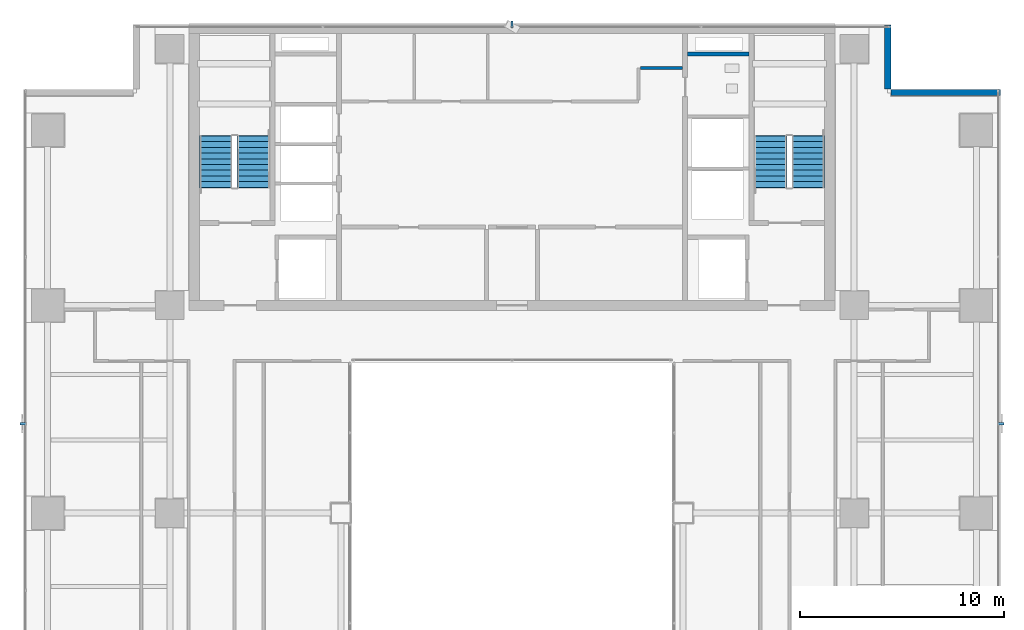
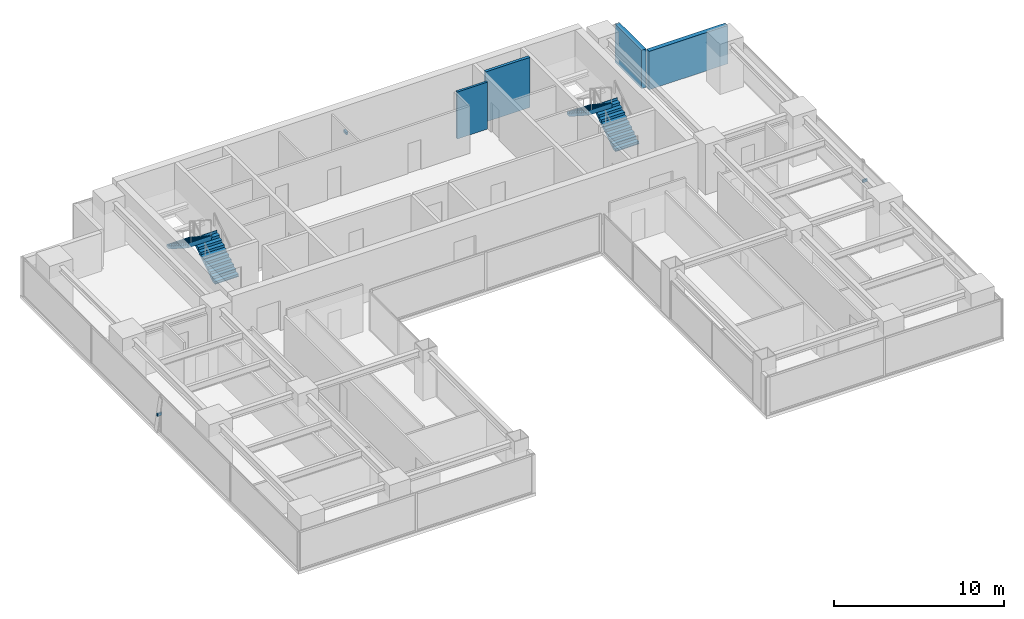
# One storey, part 26 of 29: 4 stair flights, 4 walls, 3 discrete accessories, 2 elements without a shape of their own.
"""IFC4 building model written with IfcOpenShell, lengths in metres."""

from ifc_helpers import new_model, si_unit, direction, frame, frame_2d, origin, origin_2d, place, context, subcontext, project, spatial, polyline, rectangle, outline, extrude, source, transform, mapped, material, layer, layer_set, material_profile, profile_set, type_object, element, aggregate, save


model = new_model("IFC4")

# Units and contexts
model_context = context("Model", 3, precision=1e-05, world=origin(), true_north=direction((0.0, 1.0)))
body_context = subcontext(model_context, "Body", "Model", "MODEL_VIEW")
ifc_project = project(units=[si_unit("LENGTHUNIT", "METRE"), si_unit("AREAUNIT", "SQUARE_METRE"), si_unit("VOLUMEUNIT", "CUBIC_METRE"), si_unit("PLANEANGLEUNIT", "RADIAN"), si_unit("MASSUNIT", "GRAM", prefix="KILO")], contexts=[model_context])

# Site, building, storey
site_placement = place(None, origin())
site = spatial("IfcSite", under=ifc_project, at=site_placement, CompositionType="ELEMENT")
building_placement = place(site_placement, origin())
building = spatial("IfcBuilding", under=site, at=building_placement, Name="Sumidabori Civic Tower", CompositionType="ELEMENT")
storey_placement = place(building_placement, frame((0.0, 0.0, 203.60009765625)))
storey = spatial("IfcBuildingStorey", under=building, at=storey_placement, Name="L52", CompositionType="ELEMENT", Elevation=203.60009765625)

# Walls
ifc_material_1 = material(Name="Concrete C50/60", Category="concrete")
ifc_layer_1 = layer(ifc_material_1, 0.199951171875, Name="Concrete C50/60")
ifc_layer_set_1 = layer_set([ifc_layer_1], Name="Concrete C50/60")
wall_type_1 = type_object("IfcWallType", Name="WL-SHAFT-200", PredefinedType="SHEAR", material=ifc_layer_set_1)
shared_shape_1 = source(origin(), body_context, "Body", "SweptSolid", [
    extrude(rectangle(XDim=3.02001953125, YDim=0.199951171875, at=frame_2d((1.510009765625, 0.0))), origin(), (0.0, 0.0, 1.0), 3.599853515625),
])
wall_1_placement = place(storey_placement, frame((8.625, 22.550048828125, 0.0), z_axis=(0.0, 0.0, 1.0), x_axis=(1.0, 0.0, 0.0)))
element("IfcWall", 1, at=wall_1_placement, inside=storey, type_object=wall_type_1, Name="Core Shear Wall L52 RIS2-S", PredefinedType="SHEAR", context=body_context, shape_type="MappedRepresentation", body=[
    mapped(shared_shape_1, transform((0.0, 0.0, 0.0), x_axis=(1.0, 0.0, 0.0), y_axis=(0.0, 1.0, 0.0), z_axis=(0.0, 0.0, 1.0), scale=1.0)),
])
ifc_material_2 = material(Name="Precast concrete C40/50", Category="concrete")
ifc_layer_2 = layer(ifc_material_2, 0.300048828125, Name="Precast concrete C40/50")
ifc_layer_set_2 = layer_set([ifc_layer_2], Name="Precast concrete C40/50")
wall_type_2 = type_object("IfcWallType", Name="WL-EXT-POD300", PredefinedType="STANDARD", material=ifc_layer_set_2)
shared_shape_2 = source(origin(), body_context, "Body", "SweptSolid", [
    extrude(rectangle(XDim=5.35986328125, YDim=0.300048828125, at=frame_2d((2.679931640625, 0.0))), origin(), (0.0, 0.0, 1.0), 2.760009765625),
])
wall_2_placement = place(storey_placement, frame((23.97998046875, 20.64990234375, 0.0), z_axis=(0.0, 0.0, 1.0), x_axis=(-1.0, 0.0, 0.0)))
element("IfcWall", 2, at=wall_2_placement, inside=storey, type_object=wall_type_2, Name="Notched Corner Spandrel Band L52-11", PredefinedType="STANDARD", context=body_context, shape_type="MappedRepresentation", body=[
    mapped(shared_shape_2, transform((0.0, 0.0, 0.0), x_axis=(1.0, 0.0, 0.0), y_axis=(0.0, 1.0, 0.0), z_axis=(0.0, 0.0, 1.0), scale=1.0)),
])
shared_shape_3 = source(origin(), body_context, "Body", "SweptSolid", [
    extrude(rectangle(XDim=3.159912109375, YDim=0.300048828125, at=frame_2d((1.580078125, 0.0))), origin(), (0.0, 0.0, 1.0), 2.760009765625),
])
wall_3_placement = place(storey_placement, frame((18.449951171875, 20.820068359375, 0.0), z_axis=(0.0, 0.0, 1.0), x_axis=(0.0, 1.0, 0.0)))
element("IfcWall", 3, at=wall_3_placement, inside=storey, type_object=wall_type_2, Name="Notched Corner Spandrel Band L52-12", PredefinedType="STANDARD", context=body_context, shape_type="MappedRepresentation", body=[
    mapped(shared_shape_3, transform((0.0, 0.0, 0.0), x_axis=(1.0, 0.0, 0.0), y_axis=(0.0, 1.0, 0.0), z_axis=(0.0, 0.0, 1.0), scale=1.0)),
])
ifc_material_3 = material(Name="Gypsum Plasterboard Acoustic Partition")
ifc_layer_3 = layer(ifc_material_3, 0.14990234375, Name="Gypsum Plasterboard Acoustic Partition")
ifc_layer_set_3 = layer_set([ifc_layer_3], Name="Gypsum Plasterboard Acoustic Partition")
wall_type_3 = type_object("IfcWallType", Name="WL-PART-150", PredefinedType="PARTITIONING", material=ifc_layer_set_3)
shared_shape_4 = source(origin(), body_context, "Body", "SweptSolid", [
    extrude(rectangle(XDim=2.070068359375, YDim=0.14990234375, at=frame_2d((1.03515625, 0.0))), origin(), (0.0, 0.0, 1.0), 3.3798828125),
])
wall_4_placement = place(storey_placement, frame((6.300048828125, 21.85009765625, 0.0), z_axis=(0.0, 0.0, 1.0), x_axis=(1.0, 0.0, 0.0)))
element("IfcWall", 4, at=wall_4_placement, inside=storey, type_object=wall_type_3, Name="Interior Partition WL:L52:CBAND-ME2", PredefinedType="PARTITIONING", context=body_context, shape_type="MappedRepresentation", body=[
    mapped(shared_shape_4, transform((0.0, 0.0, 0.0), x_axis=(1.0, 0.0, 0.0), y_axis=(0.0, 1.0, 0.0), z_axis=(0.0, 0.0, 1.0), scale=1.0)),
])

# Stair, stair flights
ifc_material_4 = material(Name="Concrete C40/50", Category="concrete")
stair_type = type_object("IfcStairType", Name="ST-CORE-1600", PredefinedType="HALF_TURN_STAIR", material=ifc_material_4)
stair_1_placement = place(storey_placement, origin())
stair_1 = element("IfcStair", 5, at=stair_1_placement, inside=storey, type_object=stair_type, Name="L52 ST-1", PredefinedType="HALF_TURN_STAIR")
stair_flight_type = type_object("IfcStairFlightType", Name="SF-CORE-1600", PredefinedType="STRAIGHT", material=ifc_material_4)
shared_shape_5 = source(origin(), body_context, "Body", "SweptSolid", [
    extrude(outline(polyline([(-0.02490234375, 0.0), (-0.02490234375, 0.0400390625), (0.0, 0.0400390625), (0.0, 0.179931640625), (0.280029296875, 0.179931640625), (0.280029296875, 0.360107421875), (0.56005859375, 0.360107421875), (0.56005859375, 0.5400390625), (0.840087890625, 0.5400390625), (0.840087890625, 0.719970703125), (1.1201171875, 0.719970703125), (1.1201171875, 0.89990234375), (1.39990234375, 0.89990234375), (1.39990234375, 1.080078125), (1.679931640625, 1.080078125), (1.679931640625, 1.260009765625), (1.9599609375, 1.260009765625), (1.9599609375, 1.43994140625), (2.239990234375, 1.43994140625), (2.239990234375, 1.6201171875), (2.52001953125, 1.6201171875), (2.52001953125, 1.800048828125), (2.544921875, 1.800048828125), (2.544921875, 1.650146484375), (2.52001953125, 1.44189453125), (0.277099609375, 0.0), (-0.02490234375, 0.0)])), frame((0.0, 0.800048828125, 0.0), z_axis=(0.0, -1.0, 0.0), x_axis=(1.0, 0.0, 0.0)), (0.0, 0.0, 1.0), 1.60009765625),
])
stair_flight_1_placement = place(storey_placement, frame((-12.699951171875, 16.0, 0.0), z_axis=(0.0, 0.0, 1.0), x_axis=(0.0, 1.0, 0.0)))
stair_flight_1 = element("IfcStairFlight", 6, at=stair_flight_1_placement, type_object=stair_flight_type, Name="ST-1 flight 1", NumberOfRisers=10, NumberOfTreads=9, PredefinedType="STRAIGHT", RiserHeight=0.18, TreadLength=0.28, context=body_context, shape_type="MappedRepresentation", body=[
    mapped(shared_shape_5, transform((0.0, 0.0, 0.0), x_axis=(1.0, 0.0, 0.0), y_axis=(0.0, 1.0, 0.0), z_axis=(0.0, 0.0, 1.0), scale=1.0)),
])
stair_flight_2_placement = place(storey_placement, frame((-14.5400390625, 18.52001953125, 1.7998046875), z_axis=(0.0, 0.0, 1.0), x_axis=(0.0, -1.0, 0.0)))
stair_flight_2 = element("IfcStairFlight", 7, at=stair_flight_2_placement, type_object=stair_flight_type, Name="ST-1 flight 2", NumberOfRisers=10, NumberOfTreads=9, PredefinedType="STRAIGHT", RiserHeight=0.18, TreadLength=0.28, context=body_context, shape_type="MappedRepresentation", body=[
    mapped(shared_shape_5, transform((0.0, 0.0, 0.0), x_axis=(1.0, 0.0, 0.0), y_axis=(0.0, 1.0, 0.0), z_axis=(0.0, 0.0, 1.0), scale=1.0)),
])
aggregate(stair_1, [stair_flight_1, stair_flight_2])

stair_2_placement = place(storey_placement, origin())
stair_2 = element("IfcStair", 8, at=stair_2_placement, inside=storey, type_object=stair_type, Name="L52 ST-2", PredefinedType="HALF_TURN_STAIR")
stair_flight_3_placement = place(storey_placement, frame((14.5400390625, 16.0, 0.0), z_axis=(0.0, 0.0, 1.0), x_axis=(0.0, 1.0, 0.0)))
stair_flight_3 = element("IfcStairFlight", 9, at=stair_flight_3_placement, type_object=stair_flight_type, Name="ST-2 flight 1", NumberOfRisers=10, NumberOfTreads=9, PredefinedType="STRAIGHT", RiserHeight=0.18, TreadLength=0.28, context=body_context, shape_type="MappedRepresentation", body=[
    mapped(shared_shape_5, transform((0.0, 0.0, 0.0), x_axis=(1.0, 0.0, 0.0), y_axis=(0.0, 1.0, 0.0), z_axis=(0.0, 0.0, 1.0), scale=1.0)),
])
stair_flight_4_placement = place(storey_placement, frame((12.699951171875, 18.52001953125, 1.7998046875), z_axis=(0.0, 0.0, 1.0), x_axis=(0.0, -1.0, 0.0)))
stair_flight_4 = element("IfcStairFlight", 10, at=stair_flight_4_placement, type_object=stair_flight_type, Name="ST-2 flight 2", NumberOfRisers=10, NumberOfTreads=9, PredefinedType="STRAIGHT", RiserHeight=0.18, TreadLength=0.28, context=body_context, shape_type="MappedRepresentation", body=[
    mapped(shared_shape_5, transform((0.0, 0.0, 0.0), x_axis=(1.0, 0.0, 0.0), y_axis=(0.0, 1.0, 0.0), z_axis=(0.0, 0.0, 1.0), scale=1.0)),
])
aggregate(stair_2, [stair_flight_3, stair_flight_4])

# Discrete accessories
ifc_material_5 = material(Name="Stainless Steel Hairline Finish", Category="steel")
ifc_material_profile = material_profile(ifc_material_5, rectangle(XDim=0.1201171875, YDim=0.179931640625, at=origin_2d()), Name="STEEL BRACKET 180x120")
ifc_profile_set = profile_set([ifc_material_profile], Name="Stainless Steel Hairline Finish")
discrete_accessory_type = type_object("IfcDiscreteAccessoryType", Name="AC-BRK-180", PredefinedType="BRACKET", material=ifc_profile_set)
shared_shape_6 = source(origin(), body_context, "Body", "SweptSolid", [
    extrude(rectangle(XDim=0.1201171875, YDim=0.179931640625, at=origin_2d()), origin(), (0.0, 0.0, 1.0), 0.329833984375),
])
for number, where, z_axis, x_axis, name in (
    (11, (23.830078125, 4.39990234375, 1.369873046875), (1.0, 0.0, 0.0), (0.0, 1.0, 0.0), "Bronze Fin Fixing Bracket L52-02"),
    (12, (0.0, 23.830078125, 1.369873046875), (0.0, 1.0, 0.0), (-1.0, 0.0, 0.0), "Bronze Fin Fixing Bracket L52-02"),
    (13, (-23.830078125, 4.39990234375, 1.369873046875), (-1.0, 0.0, 0.0), (0.0, -1.0, 0.0), "Bronze Fin Fixing Bracket L52-02"),
):
    element("IfcDiscreteAccessory", number, at=place(storey_placement, frame(where, z_axis=z_axis, x_axis=x_axis)), inside=storey, type_object=discrete_accessory_type, Name=name, PredefinedType="BRACKET", context=body_context, shape_type="MappedRepresentation", body=[
        mapped(shared_shape_6, transform((0.0, 0.0, 0.0), x_axis=(1.0, 0.0, 0.0), y_axis=(0.0, 1.0, 0.0), z_axis=(0.0, 0.0, 1.0), scale=1.0)),
    ])

save(model, "model.ifc")
